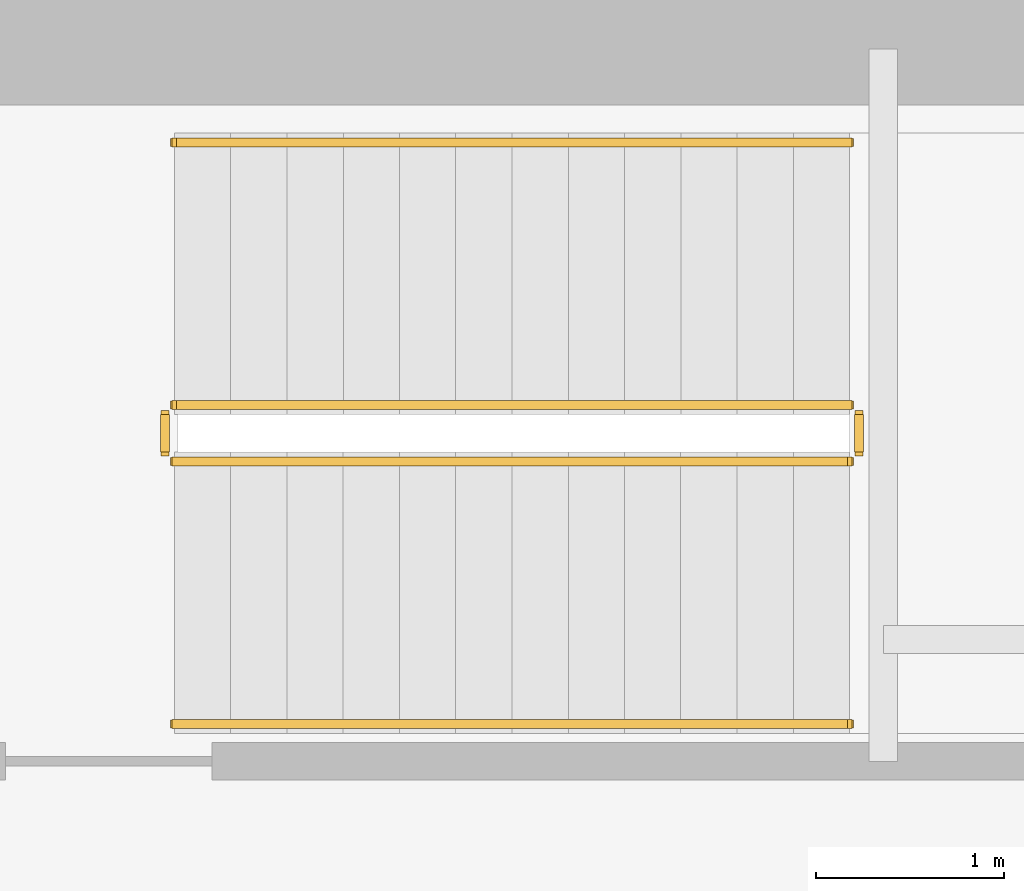
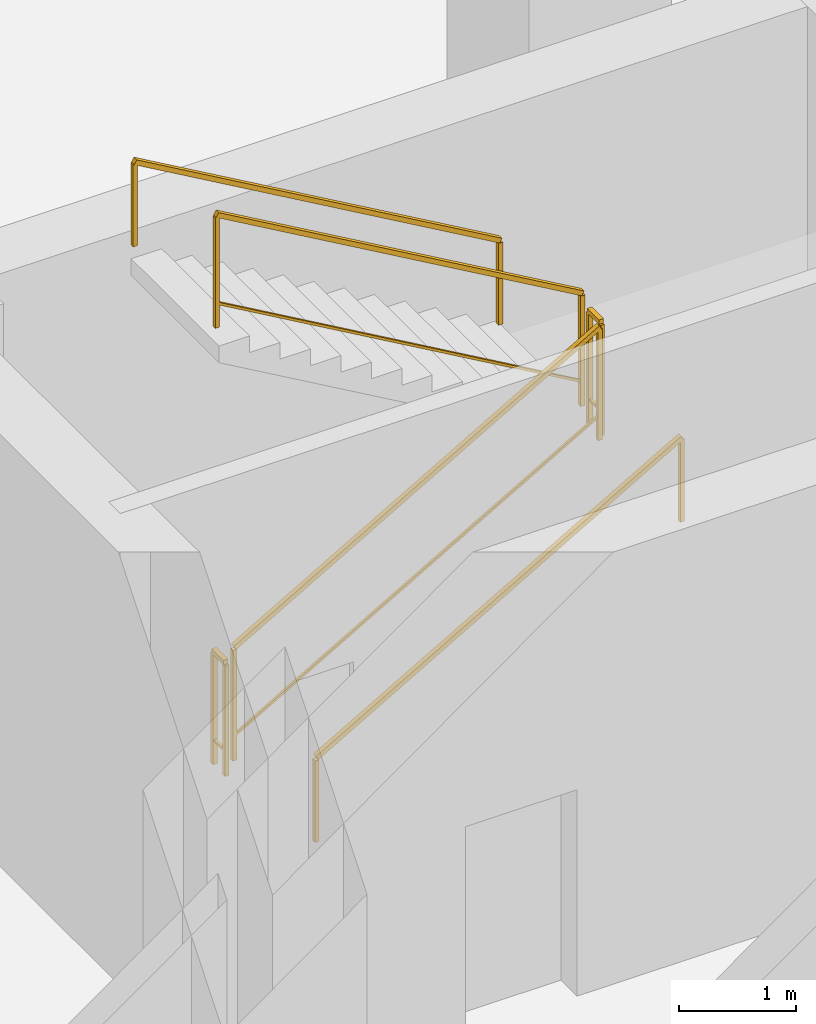
# One storey, part 15 of 16: 6 railings.
"""IFC4 building model written with IfcOpenShell, lengths in metres."""

from ifc_helpers import new_model, si_unit, direction, frame, origin, origin_2d, place, context, subcontext, project, spatial, rectangle, extrude, material, type_object, element, save


model = new_model("IFC4")

# Units and contexts
model_context = context("Model", 3, precision=1e-05, world=origin(), true_north=direction((0.0, 1.0)))
body_context = subcontext(model_context, "Body", "Model", "MODEL_VIEW")
ifc_project = project(units=[si_unit("LENGTHUNIT", "METRE"), si_unit("AREAUNIT", "SQUARE_METRE"), si_unit("VOLUMEUNIT", "CUBIC_METRE"), si_unit("PLANEANGLEUNIT", "RADIAN"), si_unit("MASSUNIT", "GRAM", prefix="KILO")], contexts=[model_context])

# Site, building, storey
site_placement = place(None, origin())
site = spatial("IfcSite", under=ifc_project, at=site_placement, CompositionType="ELEMENT")
building_placement = place(site_placement, origin())
building = spatial("IfcBuilding", under=site, at=building_placement, Name="Svetorya Sky Lyceum", CompositionType="ELEMENT")
storey_placement = place(building_placement, frame((0.0, 0.0, 11.10009765625)))
storey = spatial("IfcBuildingStorey", under=building, at=storey_placement, Name="L02", CompositionType="ELEMENT", Elevation=11.10009765625)

# Railings
ifc_material_1 = material(Name="Painted galvanized stair well guard")
railing_type_1 = type_object("IfcRailingType", Name="RL-STR-GUARD-1200", PredefinedType="GUARDRAIL", material=ifc_material_1)
railing_1_placement = place(storey_placement, frame((27.699951171875, 43.60009765625, 0.173095703125)))
element("IfcRailing", 1, at=railing_1_placement, inside=storey, type_object=railing_type_1, Name="L02 ST-N stair guard 1", PredefinedType="GUARDRAIL", context=body_context, shape_type="SweptSolid", body=[
    extrude(rectangle(XDim=0.048095703125, YDim=0.048095703125, at=origin_2d()), frame((0.0, 0.0, 1.17578125), z_axis=(0.866193409371, 0.0, 0.499708892819), x_axis=(0.0, 1.0, 0.0)), (0.0, 0.0, 1.0), 4.15625),
    extrude(rectangle(XDim=0.02392578125, YDim=0.02392578125, at=origin_2d()), frame((0.0, 0.0, 0.25), z_axis=(0.866193409371, 0.0, 0.499708892819), x_axis=(0.0, 1.0, 0.0)), (0.0, 0.0, 1.0), 4.15625),
    extrude(rectangle(XDim=0.0419921875, YDim=0.0419921875, at=origin_2d()), origin(), (0.0, 0.0, 1.0), 1.15185546875),
    extrude(rectangle(XDim=0.0419921875, YDim=0.0419921875, at=origin_2d()), frame((3.60009765625, 0.0, 2.076904296875)), (0.0, 0.0, 1.0), 1.15185546875),
])
railing_2_placement = place(storey_placement, frame((31.35009765625, 43.64990234375, 2.25)))
element("IfcRailing", 2, at=railing_2_placement, inside=storey, type_object=railing_type_1, Name="L02 ST-N stair guard 2", PredefinedType="GUARDRAIL", context=body_context, shape_type="SweptSolid", body=[
    extrude(rectangle(XDim=0.048095703125, YDim=0.048095703125, at=origin_2d()), frame((0.0, 0.0, 1.17578125), z_axis=(0.0, 1.0, 0.0), x_axis=(-1.0, 0.0, 0.0)), (0.0, 0.0, 1.0), 0.2001953125),
    extrude(rectangle(XDim=0.02392578125, YDim=0.02392578125, at=origin_2d()), frame((0.0, 0.0, 0.25), z_axis=(0.0, 1.0, 0.0), x_axis=(-1.0, 0.0, 0.0)), (0.0, 0.0, 1.0), 0.2001953125),
    extrude(rectangle(XDim=0.0419921875, YDim=0.0419921875, at=origin_2d()), origin(), (0.0, 0.0, 1.0), 1.15185546875),
    extrude(rectangle(XDim=0.0419921875, YDim=0.0419921875, at=origin_2d()), frame((0.0, 0.2001953125, 0.0)), (0.0, 0.0, 1.0), 1.15185546875),
])
railing_3_placement = place(storey_placement, frame((31.300048828125, 43.89990234375, 2.423095703125)))
element("IfcRailing", 3, at=railing_3_placement, inside=storey, type_object=railing_type_1, Name="L02 ST-N stair guard 3", PredefinedType="GUARDRAIL", context=body_context, shape_type="SweptSolid", body=[
    extrude(rectangle(XDim=0.048095703125, YDim=0.048095703125, at=origin_2d()), frame((0.0, 0.0, 1.17578125), z_axis=(-0.866193409371, 0.0, 0.499708892819), x_axis=(0.0, -1.0, 0.0)), (0.0, 0.0, 1.0), 4.15625),
    extrude(rectangle(XDim=0.02392578125, YDim=0.02392578125, at=origin_2d()), frame((0.0, 0.0, 0.25), z_axis=(-0.866193409371, 0.0, 0.499708892819), x_axis=(0.0, -1.0, 0.0)), (0.0, 0.0, 1.0), 4.15625),
    extrude(rectangle(XDim=0.0419921875, YDim=0.0419921875, at=origin_2d()), origin(), (0.0, 0.0, 1.0), 1.15185546875),
    extrude(rectangle(XDim=0.0419921875, YDim=0.0419921875, at=origin_2d()), frame((-3.60009765625, 0.0, 2.076904296875)), (0.0, 0.0, 1.0), 1.15185546875),
])
railing_4_placement = place(storey_placement, frame((27.64990234375, 43.64990234375, 0.0)))
element("IfcRailing", 4, at=railing_4_placement, inside=storey, type_object=railing_type_1, Name="L02 ST-N stair guard 4", PredefinedType="GUARDRAIL", context=body_context, shape_type="SweptSolid", body=[
    extrude(rectangle(XDim=0.048095703125, YDim=0.048095703125, at=origin_2d()), frame((0.0, 0.0, 1.17578125), z_axis=(0.0, 1.0, 0.0), x_axis=(-1.0, 0.0, 0.0)), (0.0, 0.0, 1.0), 0.2001953125),
    extrude(rectangle(XDim=0.02392578125, YDim=0.02392578125, at=origin_2d()), frame((0.0, 0.0, 0.25), z_axis=(0.0, 1.0, 0.0), x_axis=(-1.0, 0.0, 0.0)), (0.0, 0.0, 1.0), 0.2001953125),
    extrude(rectangle(XDim=0.0419921875, YDim=0.0419921875, at=origin_2d()), origin(), (0.0, 0.0, 1.0), 1.15185546875),
    extrude(rectangle(XDim=0.0419921875, YDim=0.0419921875, at=origin_2d()), frame((0.0, 0.2001953125, 0.0)), (0.0, 0.0, 1.0), 1.15185546875),
])
ifc_material_2 = material(Name="Brushed stainless AISI 304 stair handrail")
railing_type_2 = type_object("IfcRailingType", Name="RL-STR-HAND-920", PredefinedType="HANDRAIL", material=ifc_material_2)
railing_5_placement = place(storey_placement, frame((27.699951171875, 42.199951171875, 0.173095703125)))
element("IfcRailing", 5, at=railing_5_placement, inside=storey, type_object=railing_type_2, Name="L02 ST-N stair handrail 1", PredefinedType="HANDRAIL", context=body_context, shape_type="SweptSolid", body=[
    extrude(rectangle(XDim=0.048095703125, YDim=0.048095703125, at=origin_2d()), frame((0.0, 0.0, 0.8759765625), z_axis=(0.866193409371, 0.0, 0.499708892819), x_axis=(0.0, 1.0, 0.0)), (0.0, 0.0, 1.0), 4.15625),
    extrude(rectangle(XDim=0.0419921875, YDim=0.0419921875, at=origin_2d()), origin(), (0.0, 0.0, 1.0), 0.851806640625),
    extrude(rectangle(XDim=0.0419921875, YDim=0.0419921875, at=origin_2d()), frame((3.60009765625, 0.0, 2.076904296875)), (0.0, 0.0, 1.0), 0.851806640625),
])
railing_6_placement = place(storey_placement, frame((31.300048828125, 45.300048828125, 2.423095703125)))
element("IfcRailing", 6, at=railing_6_placement, inside=storey, type_object=railing_type_2, Name="L02 ST-N stair handrail 2", PredefinedType="HANDRAIL", context=body_context, shape_type="SweptSolid", body=[
    extrude(rectangle(XDim=0.048095703125, YDim=0.048095703125, at=origin_2d()), frame((0.0, 0.0, 0.8759765625), z_axis=(-0.866193409371, 0.0, 0.499708892819), x_axis=(0.0, -1.0, 0.0)), (0.0, 0.0, 1.0), 4.15625),
    extrude(rectangle(XDim=0.0419921875, YDim=0.0419921875, at=origin_2d()), origin(), (0.0, 0.0, 1.0), 0.851806640625),
    extrude(rectangle(XDim=0.0419921875, YDim=0.0419921875, at=origin_2d()), frame((-3.60009765625, 0.0, 2.076904296875)), (0.0, 0.0, 1.0), 0.851806640625),
])

save(model, "model.ifc")
